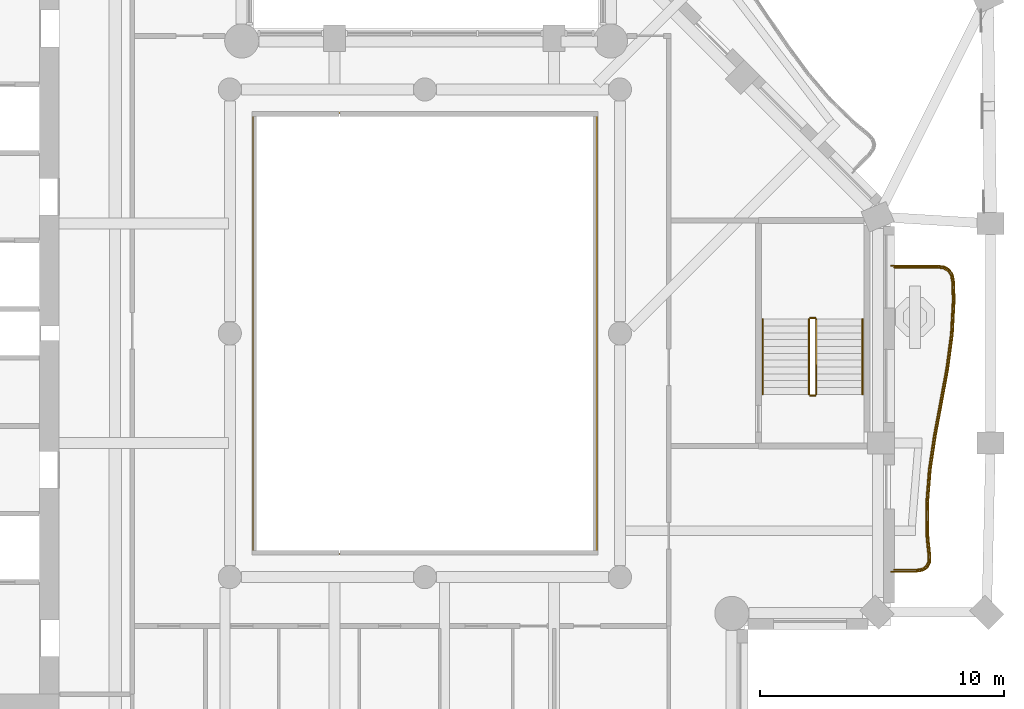
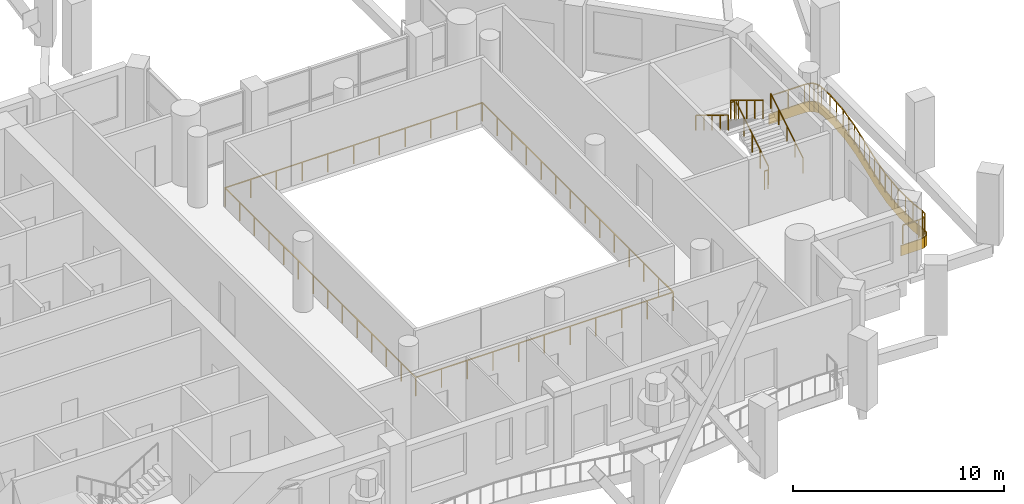
# One storey, part 13 of 16: 8 railings, 1 covering.
"""IFC4 building model written with IfcOpenShell, lengths in metres."""

from ifc_helpers import new_model, si_unit, direction, frame, origin, origin_2d, place, context, subcontext, project, spatial, polyline, rectangle, outline, extrude, material, layer, layer_set, type_object, element, save


model = new_model("IFC4")

# Units and contexts
model_context = context("Model", 3, precision=1e-05, world=origin(), true_north=direction((0.0, 1.0)))
body_context = subcontext(model_context, "Body", "Model", "MODEL_VIEW")
ifc_project = project(units=[si_unit("LENGTHUNIT", "METRE"), si_unit("AREAUNIT", "SQUARE_METRE"), si_unit("VOLUMEUNIT", "CUBIC_METRE"), si_unit("PLANEANGLEUNIT", "RADIAN"), si_unit("MASSUNIT", "GRAM", prefix="KILO")], contexts=[model_context])

# Site, building, storey
site_placement = place(None, origin())
site = spatial("IfcSite", under=ifc_project, at=site_placement, CompositionType="ELEMENT")
building_placement = place(site_placement, origin())
building = spatial("IfcBuilding", under=site, at=building_placement, Name="Cypress Arch Tower", CompositionType="ELEMENT")
storey_placement = place(building_placement, frame((0.0, 0.0, 181.0)))
storey = spatial("IfcBuildingStorey", under=building, at=storey_placement, Name="L39", CompositionType="ELEMENT", Elevation=181.0)

# Railing
ifc_material_1 = material(Name="Stainless steel posts and handrail, laminated glass infill", Category="steel")
railing_type_1 = type_object("IfcRailingType", Name="Atrium guard GR1100A", PredefinedType="GUARDRAIL", material=ifc_material_1)
railing_1_placement = place(storey_placement, frame((8.050048828125, -9.050048828125, 0.0)))
element("IfcRailing", 1, at=railing_1_placement, inside=storey, type_object=railing_type_1, Name="Atrium guard L39", PredefinedType="GUARDRAIL", context=body_context, shape_type="SweptSolid", body=[
    extrude(rectangle(XDim=0.050048828125, YDim=0.050048828125, at=origin_2d()), frame((0.0, 0.0, 1.0751953125), z_axis=(-1.0, 0.0, 0.0), x_axis=(0.0, -1.0, 0.0)), (0.0, 0.0, 1.0), 14.10009765625),
    extrude(rectangle(XDim=0.050048828125, YDim=0.050048828125, at=origin_2d()), frame((-14.10009765625, 0.0, 1.0751953125), z_axis=(0.0, 1.0, 0.0), x_axis=(-1.0, 0.0, 0.0)), (0.0, 0.0, 1.0), 18.10009765625),
    extrude(rectangle(XDim=0.050048828125, YDim=0.050048828125, at=origin_2d()), frame((-14.10009765625, 18.10009765625, 1.0751953125), z_axis=(1.0, 0.0, 0.0), x_axis=(0.0, 1.0, 0.0)), (0.0, 0.0, 1.0), 14.10009765625),
    extrude(rectangle(XDim=0.050048828125, YDim=0.050048828125, at=origin_2d()), frame((0.0, 18.10009765625, 1.0751953125), z_axis=(0.0, -1.0, 0.0), x_axis=(1.0, 0.0, 0.0)), (0.0, 0.0, 1.0), 18.10009765625),
    extrude(rectangle(XDim=0.050048828125, YDim=0.050048828125, at=origin_2d()), origin(), (0.0, 0.0, 1.0), 1.050048828125),
    extrude(rectangle(XDim=0.050048828125, YDim=0.050048828125, at=origin_2d()), frame((-1.409912109375, 0.0, 0.0)), (0.0, 0.0, 1.0), 1.050048828125),
    extrude(rectangle(XDim=0.050048828125, YDim=0.050048828125, at=origin_2d()), frame((-2.820068359375, 0.0, 0.0)), (0.0, 0.0, 1.0), 1.050048828125),
    extrude(rectangle(XDim=0.050048828125, YDim=0.050048828125, at=origin_2d()), frame((-4.22998046875, 0.0, 0.0)), (0.0, 0.0, 1.0), 1.050048828125),
    extrude(rectangle(XDim=0.050048828125, YDim=0.050048828125, at=origin_2d()), frame((-5.64013671875, 0.0, 0.0)), (0.0, 0.0, 1.0), 1.050048828125),
    extrude(rectangle(XDim=0.050048828125, YDim=0.050048828125, at=origin_2d()), frame((-7.050048828125, 0.0, 0.0)), (0.0, 0.0, 1.0), 1.050048828125),
    extrude(rectangle(XDim=0.050048828125, YDim=0.050048828125, at=origin_2d()), frame((-8.4599609375, 0.0, 0.0)), (0.0, 0.0, 1.0), 1.050048828125),
    extrude(rectangle(XDim=0.050048828125, YDim=0.050048828125, at=origin_2d()), frame((-9.8701171875, 0.0, 0.0)), (0.0, 0.0, 1.0), 1.050048828125),
    extrude(rectangle(XDim=0.050048828125, YDim=0.050048828125, at=origin_2d()), frame((-11.280029296875, 0.0, 0.0)), (0.0, 0.0, 1.0), 1.050048828125),
    extrude(rectangle(XDim=0.050048828125, YDim=0.050048828125, at=origin_2d()), frame((-12.690185546875, 0.0, 0.0)), (0.0, 0.0, 1.0), 1.050048828125),
    extrude(rectangle(XDim=0.050048828125, YDim=0.050048828125, at=origin_2d()), frame((-14.10009765625, 0.0, 0.0)), (0.0, 0.0, 1.0), 1.050048828125),
    extrude(rectangle(XDim=0.050048828125, YDim=0.050048828125, at=origin_2d()), frame((-14.10009765625, 1.392333984375, 0.0)), (0.0, 0.0, 1.0), 1.050048828125),
    extrude(rectangle(XDim=0.050048828125, YDim=0.050048828125, at=origin_2d()), frame((-14.10009765625, 2.78466796875, 0.0)), (0.0, 0.0, 1.0), 1.050048828125),
    extrude(rectangle(XDim=0.050048828125, YDim=0.050048828125, at=origin_2d()), frame((-14.10009765625, 4.177001953125, 0.0)), (0.0, 0.0, 1.0), 1.050048828125),
    extrude(rectangle(XDim=0.050048828125, YDim=0.050048828125, at=origin_2d()), frame((-14.10009765625, 5.5693359375, 0.0)), (0.0, 0.0, 1.0), 1.050048828125),
    extrude(rectangle(XDim=0.050048828125, YDim=0.050048828125, at=origin_2d()), frame((-14.10009765625, 6.961669921875, 0.0)), (0.0, 0.0, 1.0), 1.050048828125),
    extrude(rectangle(XDim=0.050048828125, YDim=0.050048828125, at=origin_2d()), frame((-14.10009765625, 8.35400390625, 0.0)), (0.0, 0.0, 1.0), 1.050048828125),
    extrude(rectangle(XDim=0.050048828125, YDim=0.050048828125, at=origin_2d()), frame((-14.10009765625, 9.74609375, 0.0)), (0.0, 0.0, 1.0), 1.050048828125),
    extrude(rectangle(XDim=0.050048828125, YDim=0.050048828125, at=origin_2d()), frame((-14.10009765625, 11.138427734375, 0.0)), (0.0, 0.0, 1.0), 1.050048828125),
    extrude(rectangle(XDim=0.050048828125, YDim=0.050048828125, at=origin_2d()), frame((-14.10009765625, 12.53076171875, 0.0)), (0.0, 0.0, 1.0), 1.050048828125),
    extrude(rectangle(XDim=0.050048828125, YDim=0.050048828125, at=origin_2d()), frame((-14.10009765625, 13.923095703125, 0.0)), (0.0, 0.0, 1.0), 1.050048828125),
    extrude(rectangle(XDim=0.050048828125, YDim=0.050048828125, at=origin_2d()), frame((-14.10009765625, 15.3154296875, 0.0)), (0.0, 0.0, 1.0), 1.050048828125),
    extrude(rectangle(XDim=0.050048828125, YDim=0.050048828125, at=origin_2d()), frame((-14.10009765625, 16.707763671875, 0.0)), (0.0, 0.0, 1.0), 1.050048828125),
    extrude(rectangle(XDim=0.050048828125, YDim=0.050048828125, at=origin_2d()), frame((-14.10009765625, 18.10009765625, 0.0)), (0.0, 0.0, 1.0), 1.050048828125),
    extrude(rectangle(XDim=0.050048828125, YDim=0.050048828125, at=origin_2d()), frame((-12.690185546875, 18.10009765625, 0.0)), (0.0, 0.0, 1.0), 1.050048828125),
    extrude(rectangle(XDim=0.050048828125, YDim=0.050048828125, at=origin_2d()), frame((-11.280029296875, 18.10009765625, 0.0)), (0.0, 0.0, 1.0), 1.050048828125),
    extrude(rectangle(XDim=0.050048828125, YDim=0.050048828125, at=origin_2d()), frame((-9.8701171875, 18.10009765625, 0.0)), (0.0, 0.0, 1.0), 1.050048828125),
    extrude(rectangle(XDim=0.050048828125, YDim=0.050048828125, at=origin_2d()), frame((-8.4599609375, 18.10009765625, 0.0)), (0.0, 0.0, 1.0), 1.050048828125),
    extrude(rectangle(XDim=0.050048828125, YDim=0.050048828125, at=origin_2d()), frame((-7.050048828125, 18.10009765625, 0.0)), (0.0, 0.0, 1.0), 1.050048828125),
    extrude(rectangle(XDim=0.050048828125, YDim=0.050048828125, at=origin_2d()), frame((-5.64013671875, 18.10009765625, 0.0)), (0.0, 0.0, 1.0), 1.050048828125),
    extrude(rectangle(XDim=0.050048828125, YDim=0.050048828125, at=origin_2d()), frame((-4.22998046875, 18.10009765625, 0.0)), (0.0, 0.0, 1.0), 1.050048828125),
    extrude(rectangle(XDim=0.050048828125, YDim=0.050048828125, at=origin_2d()), frame((-2.820068359375, 18.10009765625, 0.0)), (0.0, 0.0, 1.0), 1.050048828125),
    extrude(rectangle(XDim=0.050048828125, YDim=0.050048828125, at=origin_2d()), frame((-1.409912109375, 18.10009765625, 0.0)), (0.0, 0.0, 1.0), 1.050048828125),
    extrude(rectangle(XDim=0.050048828125, YDim=0.050048828125, at=origin_2d()), frame((0.0, 18.10009765625, 0.0)), (0.0, 0.0, 1.0), 1.050048828125),
    extrude(rectangle(XDim=0.050048828125, YDim=0.050048828125, at=origin_2d()), frame((0.0, 16.707763671875, 0.0)), (0.0, 0.0, 1.0), 1.050048828125),
    extrude(rectangle(XDim=0.050048828125, YDim=0.050048828125, at=origin_2d()), frame((0.0, 15.3154296875, 0.0)), (0.0, 0.0, 1.0), 1.050048828125),
    extrude(rectangle(XDim=0.050048828125, YDim=0.050048828125, at=origin_2d()), frame((0.0, 13.923095703125, 0.0)), (0.0, 0.0, 1.0), 1.050048828125),
    extrude(rectangle(XDim=0.050048828125, YDim=0.050048828125, at=origin_2d()), frame((0.0, 12.53076171875, 0.0)), (0.0, 0.0, 1.0), 1.050048828125),
    extrude(rectangle(XDim=0.050048828125, YDim=0.050048828125, at=origin_2d()), frame((0.0, 11.138427734375, 0.0)), (0.0, 0.0, 1.0), 1.050048828125),
    extrude(rectangle(XDim=0.050048828125, YDim=0.050048828125, at=origin_2d()), frame((0.0, 9.74609375, 0.0)), (0.0, 0.0, 1.0), 1.050048828125),
    extrude(rectangle(XDim=0.050048828125, YDim=0.050048828125, at=origin_2d()), frame((0.0, 8.35400390625, 0.0)), (0.0, 0.0, 1.0), 1.050048828125),
    extrude(rectangle(XDim=0.050048828125, YDim=0.050048828125, at=origin_2d()), frame((0.0, 6.961669921875, 0.0)), (0.0, 0.0, 1.0), 1.050048828125),
    extrude(rectangle(XDim=0.050048828125, YDim=0.050048828125, at=origin_2d()), frame((0.0, 5.5693359375, 0.0)), (0.0, 0.0, 1.0), 1.050048828125),
    extrude(rectangle(XDim=0.050048828125, YDim=0.050048828125, at=origin_2d()), frame((0.0, 4.177001953125, 0.0)), (0.0, 0.0, 1.0), 1.050048828125),
    extrude(rectangle(XDim=0.050048828125, YDim=0.050048828125, at=origin_2d()), frame((0.0, 2.78466796875, 0.0)), (0.0, 0.0, 1.0), 1.050048828125),
    extrude(rectangle(XDim=0.050048828125, YDim=0.050048828125, at=origin_2d()), frame((0.0, 1.392333984375, 0.0)), (0.0, 0.0, 1.0), 1.050048828125),
])

# Covering
ifc_material_2 = material(Name="White powder-coated aluminium fascia", Category="aluminium")
ifc_layer = layer(ifc_material_2, 0.050048828125)
ifc_layer_set = layer_set([ifc_layer], Name="Balcony fascia BF50")
covering_type = type_object("IfcCoveringType", Name="Balcony fascia BF50", PredefinedType="CLADDING", material=ifc_layer_set)
covering_placement = place(storey_placement, frame((0.0, 0.0, -0.60009765625)))
element("IfcCovering", 2, at=covering_placement, inside=storey, type_object=covering_type, Name="Balcony fascia L39-B04", PredefinedType="CLADDING", context=body_context, shape_type="SweptSolid", body=[
    extrude(outline(polyline([(22.02734375, 2.800048828125), (22.315673828125, 2.759033203125), (22.534423828125, 2.630859375), (22.670654296875, 2.4169921875), (22.72216796875, 2.13037109375), (22.750244140625, 1.360595703125), (22.67431640625, -0.032470703125), (22.48876953125, -1.42431640625), (22.237060546875, -2.814697265625), (21.976806640625, -4.202880859375), (21.768310546875, -5.589111328125), (21.659423828125, -6.973876953125), (21.674560546875, -8.3583984375), (21.75, -9.123779296875), (21.73681640625, -9.411376953125), (21.627197265625, -9.628662109375), (21.421875, -9.7587890625), (21.13671875, -9.800048828125), (20.10107421875, -9.800048828125), (20.10107421875, -9.75), (21.13330078125, -9.75), (21.404052734375, -9.7109375), (21.5888671875, -9.59375), (21.6875, -9.3984375), (21.69970703125, -9.125), (21.624755859375, -8.361083984375), (21.609375, -6.97216796875), (21.71875, -5.583251953125), (21.927490234375, -4.1943359375), (22.187744140625, -2.8056640625), (22.439453125, -1.416748046875), (22.62451171875, -0.02783203125), (22.7001953125, 1.361083984375), (22.67236328125, 2.125), (22.623046875, 2.3984375), (22.498779296875, 2.59375), (22.299072265625, 2.7109375), (22.02392578125, 2.75), (20.10107421875, 2.75), (20.10107421875, 2.800048828125), (22.02734375, 2.800048828125)])), origin(), (0.0, 0.0, 1.0), 0.60009765625),
])

# Railings
ifc_material_3 = material(Name="Powder-coated steel posts and rods, 100 mm clear between rods", Category="steel")
railing_type_2 = type_object("IfcRailingType", Name="Balcony guard GR1100", PredefinedType="GUARDRAIL", material=ifc_material_3)
railing_2_placement = place(storey_placement, frame((20.25, 2.699951171875, 0.0)))
element("IfcRailing", 3, at=railing_2_placement, inside=storey, type_object=railing_type_2, Name="Balcony guard L39-B04", PredefinedType="GUARDRAIL", context=body_context, shape_type="SweptSolid", body=[
    extrude(rectangle(XDim=0.050048828125, YDim=0.050048828125, at=origin_2d()), frame((0.0, 0.0, 1.0751953125), z_axis=(1.0, 0.0, 0.0), x_axis=(0.0, 1.0, 0.0)), (0.0, 0.0, 1.0), 1.770263671875),
    extrude(rectangle(XDim=0.050048828125, YDim=0.050048828125, at=origin_2d()), frame((1.770263671875, 0.0, 1.0751953125), z_axis=(0.990114906595, -0.140258588819, 0.0), x_axis=(0.140258588819, 0.990114906595, 0.0)), (0.0, 0.0, 1.0), 0.2646484375),
    extrude(rectangle(XDim=0.050048828125, YDim=0.050048828125, at=origin_2d()), frame((2.0322265625, -0.037109375, 1.0751953125), z_axis=(0.862083917705, -0.506765546219, 0.0), x_axis=(0.506765546219, 0.862083917705, 0.0)), (0.0, 0.0, 1.0), 0.20947265625),
    extrude(rectangle(XDim=0.050048828125, YDim=0.050048828125, at=origin_2d()), frame((2.212890625, -0.143310546875, 1.0751953125), z_axis=(0.537929836996, -0.842989614687, 0.0), x_axis=(0.842989614687, 0.537929836996, 0.0)), (0.0, 0.0, 1.0), 0.209716796875),
    extrude(rectangle(XDim=0.050048828125, YDim=0.050048828125, at=origin_2d()), frame((2.32568359375, -0.320068359375, 1.0751953125), z_axis=(0.176365867157, -0.984324682664, 0.0), x_axis=(0.984324682664, 0.176365867157, 0.0)), (0.0, 0.0, 1.0), 0.264404296875),
    extrude(rectangle(XDim=0.050048828125, YDim=0.050048828125, at=origin_2d()), frame((2.372314453125, -0.580322265625, 1.0751953125), z_axis=(0.036690255135, -0.999326685913, 0.0), x_axis=(0.999326685913, 0.036690255135, 0.0)), (0.0, 0.0, 1.0), 0.758544921875),
    extrude(rectangle(XDim=0.050048828125, YDim=0.050048828125, at=origin_2d()), frame((2.400146484375, -1.33837890625, 1.0751953125), z_axis=(-0.054397475776, -0.998519361169, 0.0), x_axis=(0.998519361169, -0.054397475776, 0.0)), (0.0, 0.0, 1.0), 1.38671875),
    extrude(rectangle(XDim=0.050048828125, YDim=0.050048828125, at=origin_2d()), frame((2.32470703125, -2.72314453125, 1.0751953125), z_axis=(-0.132026448655, -0.991246193867, 0.0), x_axis=(0.991246193867, -0.132026448655, 0.0)), (0.0, 0.0, 1.0), 1.39794921875),
    extrude(rectangle(XDim=0.050048828125, YDim=0.050048828125, at=origin_2d()), frame((2.14013671875, -4.10888671875, 1.0751953125), z_axis=(-0.178336894592, -0.983969487346, 0.0), x_axis=(0.983969487346, -0.178336894592, 0.0)), (0.0, 0.0, 1.0), 1.41015625),
    extrude(rectangle(XDim=0.050048828125, YDim=0.050048828125, at=origin_2d()), frame((1.888671875, -5.496337890625, 1.0751953125), z_axis=(-0.184246831653, -0.982880005405, 0.0), x_axis=(0.982880005405, -0.184246831653, 0.0)), (0.0, 0.0, 1.0), 1.413818359375),
    extrude(rectangle(XDim=0.050048828125, YDim=0.050048828125, at=origin_2d()), frame((1.628173828125, -6.885986328125, 1.0751953125), z_axis=(-0.14867978633, -0.988885393328, 0.0), x_axis=(0.988885393328, -0.14867978633, 0.0)), (0.0, 0.0, 1.0), 1.4072265625),
    extrude(rectangle(XDim=0.050048828125, YDim=0.050048828125, at=origin_2d()), frame((1.4189453125, -8.277587890625, 1.0751953125), z_axis=(-0.078460270174, -0.996917241301, 0.0), x_axis=(0.996917241301, -0.078460270174, 0.0)), (0.0, 0.0, 1.0), 1.397216796875),
    extrude(rectangle(XDim=0.050048828125, YDim=0.050048828125, at=origin_2d()), frame((1.309326171875, -9.67041015625, 1.0751953125), z_axis=(0.011038402265, -0.999939074982, 0.0), x_axis=(0.999939074982, 0.011038402265, 0.0)), (0.0, 0.0, 1.0), 1.393310546875),
    extrude(rectangle(XDim=0.050048828125, YDim=0.050048828125, at=origin_2d()), frame((1.32470703125, -11.063720703125, 1.0751953125), z_axis=(0.097831355512, -0.99520300737, 0.0), x_axis=(0.99520300737, 0.097831355512, 0.0)), (0.0, 0.0, 1.0), 0.76611328125),
    extrude(rectangle(XDim=0.050048828125, YDim=0.050048828125, at=origin_2d()), frame((1.399658203125, -11.826171875, 1.0751953125), z_axis=(-0.045151644946, -0.998980144427, 0.0), x_axis=(0.998980144427, -0.045151644946, 0.0)), (0.0, 0.0, 1.0), 0.259521484375),
    extrude(rectangle(XDim=0.050048828125, YDim=0.050048828125, at=origin_2d()), frame((1.387939453125, -12.08544921875, 1.0751953125), z_axis=(-0.450229346432, -0.892912949627, 0.0), x_axis=(0.892912949627, -0.450229346432, 0.0)), (0.0, 0.0, 1.0), 0.194091796875),
    extrude(rectangle(XDim=0.050048828125, YDim=0.050048828125, at=origin_2d()), frame((1.300537109375, -12.2587890625, 1.0751953125), z_axis=(-0.844023315733, -0.536306481872, 0.0), x_axis=(0.536306481872, -0.844023315733, 0.0)), (0.0, 0.0, 1.0), 0.1943359375),
    extrude(rectangle(XDim=0.050048828125, YDim=0.050048828125, at=origin_2d()), frame((1.136474609375, -12.363037109375, 1.0751953125), z_axis=(-0.989855181852, -0.142079973821, 0.0), x_axis=(0.142079973821, -0.989855181852, 0.0)), (0.0, 0.0, 1.0), 0.259521484375),
    extrude(rectangle(XDim=0.050048828125, YDim=0.050048828125, at=origin_2d()), frame((0.879638671875, -12.39990234375, 1.0751953125), z_axis=(-1.0, 0.0, 0.0), x_axis=(0.0, -1.0, 0.0)), (0.0, 0.0, 1.0), 0.879638671875),
    extrude(rectangle(XDim=0.0400390625, YDim=0.0400390625, at=origin_2d()), origin(), (0.0, 0.0, 1.0), 1.050048828125),
    extrude(rectangle(XDim=0.0400390625, YDim=0.0400390625, at=origin_2d()), frame((0.88525390625, 0.0, 0.0)), (0.0, 0.0, 1.0), 1.050048828125),
    extrude(rectangle(XDim=0.0400390625, YDim=0.0400390625, at=origin_2d()), frame((1.770263671875, 0.0, 0.0)), (0.0, 0.0, 1.0), 1.050048828125),
    extrude(rectangle(XDim=0.0400390625, YDim=0.0400390625, at=origin_2d()), frame((2.0322265625, -0.037109375, 0.0)), (0.0, 0.0, 1.0), 1.050048828125),
    extrude(rectangle(XDim=0.0400390625, YDim=0.0400390625, at=origin_2d()), frame((2.212890625, -0.143310546875, 0.0)), (0.0, 0.0, 1.0), 1.050048828125),
    extrude(rectangle(XDim=0.0400390625, YDim=0.0400390625, at=origin_2d()), frame((2.32568359375, -0.320068359375, 0.0)), (0.0, 0.0, 1.0), 1.050048828125),
    extrude(rectangle(XDim=0.0400390625, YDim=0.0400390625, at=origin_2d()), frame((2.372314453125, -0.580322265625, 0.0)), (0.0, 0.0, 1.0), 1.050048828125),
    extrude(rectangle(XDim=0.0400390625, YDim=0.0400390625, at=origin_2d()), frame((2.400146484375, -1.33837890625, 0.0)), (0.0, 0.0, 1.0), 1.050048828125),
    extrude(rectangle(XDim=0.0400390625, YDim=0.0400390625, at=origin_2d()), frame((2.3623046875, -2.03076171875, 0.0)), (0.0, 0.0, 1.0), 1.050048828125),
    extrude(rectangle(XDim=0.0400390625, YDim=0.0400390625, at=origin_2d()), frame((2.32470703125, -2.72314453125, 0.0)), (0.0, 0.0, 1.0), 1.050048828125),
    extrude(rectangle(XDim=0.0400390625, YDim=0.0400390625, at=origin_2d()), frame((2.232421875, -3.416015625, 0.0)), (0.0, 0.0, 1.0), 1.050048828125),
    extrude(rectangle(XDim=0.0400390625, YDim=0.0400390625, at=origin_2d()), frame((2.14013671875, -4.10888671875, 0.0)), (0.0, 0.0, 1.0), 1.050048828125),
    extrude(rectangle(XDim=0.0400390625, YDim=0.0400390625, at=origin_2d()), frame((2.014404296875, -4.802734375, 0.0)), (0.0, 0.0, 1.0), 1.050048828125),
    extrude(rectangle(XDim=0.0400390625, YDim=0.0400390625, at=origin_2d()), frame((1.888671875, -5.496337890625, 0.0)), (0.0, 0.0, 1.0), 1.050048828125),
    extrude(rectangle(XDim=0.0400390625, YDim=0.0400390625, at=origin_2d()), frame((1.75830078125, -6.191162109375, 0.0)), (0.0, 0.0, 1.0), 1.050048828125),
    extrude(rectangle(XDim=0.0400390625, YDim=0.0400390625, at=origin_2d()), frame((1.628173828125, -6.885986328125, 0.0)), (0.0, 0.0, 1.0), 1.050048828125),
    extrude(rectangle(XDim=0.0400390625, YDim=0.0400390625, at=origin_2d()), frame((1.5234375, -7.581787109375, 0.0)), (0.0, 0.0, 1.0), 1.050048828125),
    extrude(rectangle(XDim=0.0400390625, YDim=0.0400390625, at=origin_2d()), frame((1.4189453125, -8.277587890625, 0.0)), (0.0, 0.0, 1.0), 1.050048828125),
    extrude(rectangle(XDim=0.0400390625, YDim=0.0400390625, at=origin_2d()), frame((1.3642578125, -8.97412109375, 0.0)), (0.0, 0.0, 1.0), 1.050048828125),
    extrude(rectangle(XDim=0.0400390625, YDim=0.0400390625, at=origin_2d()), frame((1.309326171875, -9.67041015625, 0.0)), (0.0, 0.0, 1.0), 1.050048828125),
    extrude(rectangle(XDim=0.0400390625, YDim=0.0400390625, at=origin_2d()), frame((1.31689453125, -10.3671875, 0.0)), (0.0, 0.0, 1.0), 1.050048828125),
    extrude(rectangle(XDim=0.0400390625, YDim=0.0400390625, at=origin_2d()), frame((1.32470703125, -11.063720703125, 0.0)), (0.0, 0.0, 1.0), 1.050048828125),
    extrude(rectangle(XDim=0.0400390625, YDim=0.0400390625, at=origin_2d()), frame((1.399658203125, -11.826171875, 0.0)), (0.0, 0.0, 1.0), 1.050048828125),
    extrude(rectangle(XDim=0.0400390625, YDim=0.0400390625, at=origin_2d()), frame((1.387939453125, -12.08544921875, 0.0)), (0.0, 0.0, 1.0), 1.050048828125),
    extrude(rectangle(XDim=0.0400390625, YDim=0.0400390625, at=origin_2d()), frame((1.300537109375, -12.2587890625, 0.0)), (0.0, 0.0, 1.0), 1.050048828125),
    extrude(rectangle(XDim=0.0400390625, YDim=0.0400390625, at=origin_2d()), frame((1.136474609375, -12.363037109375, 0.0)), (0.0, 0.0, 1.0), 1.050048828125),
    extrude(rectangle(XDim=0.0400390625, YDim=0.0400390625, at=origin_2d()), frame((0.879638671875, -12.39990234375, 0.0)), (0.0, 0.0, 1.0), 1.050048828125),
    extrude(rectangle(XDim=0.0400390625, YDim=0.0400390625, at=origin_2d()), frame((0.0, -12.39990234375, 0.0)), (0.0, 0.0, 1.0), 1.050048828125),
])
ifc_material_4 = material(Name="Black powder-coated steel square bar 48 mm", Category="steel")
railing_type_3 = type_object("IfcRailingType", Name="Stair handrail HR1", PredefinedType="HANDRAIL", material=ifc_material_4)
railing_3_placement = place(storey_placement, frame((18.949951171875, -2.5, 0.1708984375)))
element("IfcRailing", 4, at=railing_3_placement, inside=storey, type_object=railing_type_3, Name="L39 C stair handrail 1", PredefinedType="HANDRAIL", context=body_context, shape_type="SweptSolid", body=[
    extrude(rectangle(XDim=0.048095703125, YDim=0.048095703125, at=origin_2d()), frame((0.0, 0.0, 0.8759765625), z_axis=(0.0, 0.853666305674, 0.52082035152), x_axis=(-1.0, 0.0, 0.0)), (0.0, 0.0, 1.0), 3.608154296875),
    extrude(rectangle(XDim=0.0419921875, YDim=0.0419921875, at=origin_2d()), origin(), (0.0, 0.0, 1.0), 0.851806640625),
    extrude(rectangle(XDim=0.0419921875, YDim=0.0419921875, at=origin_2d()), frame((0.0, 0.77001953125, 0.4697265625)), (0.0, 0.0, 1.0), 0.851806640625),
    extrude(rectangle(XDim=0.0419921875, YDim=0.0419921875, at=origin_2d()), frame((0.0, 1.5400390625, 0.939453125)), (0.0, 0.0, 1.0), 0.851806640625),
    extrude(rectangle(XDim=0.0419921875, YDim=0.0419921875, at=origin_2d()), frame((0.0, 2.31005859375, 1.409423828125)), (0.0, 0.0, 1.0), 0.851806640625),
    extrude(rectangle(XDim=0.0419921875, YDim=0.0419921875, at=origin_2d()), frame((0.0, 3.080078125, 1.879150390625)), (0.0, 0.0, 1.0), 0.851806640625),
])
railing_4_placement = place(storey_placement, frame((14.85009765625, 0.580078125, 2.220947265625)))
element("IfcRailing", 5, at=railing_4_placement, inside=storey, type_object=railing_type_3, Name="L39 C stair handrail 2", PredefinedType="HANDRAIL", context=body_context, shape_type="SweptSolid", body=[
    extrude(rectangle(XDim=0.048095703125, YDim=0.048095703125, at=origin_2d()), frame((0.0, 0.0, 0.8759765625), z_axis=(0.0, -0.853666305674, 0.52082035152), x_axis=(1.0, 0.0, 0.0)), (0.0, 0.0, 1.0), 3.608154296875),
    extrude(rectangle(XDim=0.0419921875, YDim=0.0419921875, at=origin_2d()), origin(), (0.0, 0.0, 1.0), 0.851806640625),
    extrude(rectangle(XDim=0.0419921875, YDim=0.0419921875, at=origin_2d()), frame((0.0, -0.77001953125, 0.4697265625)), (0.0, 0.0, 1.0), 0.851806640625),
    extrude(rectangle(XDim=0.0419921875, YDim=0.0419921875, at=origin_2d()), frame((0.0, -1.5400390625, 0.939453125)), (0.0, 0.0, 1.0), 0.851806640625),
    extrude(rectangle(XDim=0.0419921875, YDim=0.0419921875, at=origin_2d()), frame((0.0, -2.31005859375, 1.409423828125)), (0.0, 0.0, 1.0), 0.851806640625),
    extrude(rectangle(XDim=0.0419921875, YDim=0.0419921875, at=origin_2d()), frame((0.0, -3.080078125, 1.879150390625)), (0.0, 0.0, 1.0), 0.851806640625),
])
ifc_material_5 = material(Name="Black powder-coated steel balusters", Category="steel")
railing_type_4 = type_object("IfcRailingType", Name="Stair well guard G1", PredefinedType="GUARDRAIL", material=ifc_material_5)
railing_5_placement = place(storey_placement, frame((17.050048828125, -2.5, 0.1708984375)))
element("IfcRailing", 6, at=railing_5_placement, inside=storey, type_object=railing_type_4, Name="L39 C stair guard 1", PredefinedType="GUARDRAIL", context=body_context, shape_type="SweptSolid", body=[
    extrude(rectangle(XDim=0.048095703125, YDim=0.048095703125, at=origin_2d()), frame((0.0, 0.0, 1.076171875), z_axis=(0.0, 0.853666305674, 0.52082035152), x_axis=(-1.0, 0.0, 0.0)), (0.0, 0.0, 1.0), 3.608154296875),
    extrude(rectangle(XDim=0.0419921875, YDim=0.0419921875, at=origin_2d()), origin(), (0.0, 0.0, 1.0), 1.052001953125),
    extrude(rectangle(XDim=0.0419921875, YDim=0.0419921875, at=origin_2d()), frame((0.0, 0.77001953125, 0.4697265625)), (0.0, 0.0, 1.0), 1.052001953125),
    extrude(rectangle(XDim=0.0419921875, YDim=0.0419921875, at=origin_2d()), frame((0.0, 1.5400390625, 0.939453125)), (0.0, 0.0, 1.0), 1.052001953125),
    extrude(rectangle(XDim=0.0419921875, YDim=0.0419921875, at=origin_2d()), frame((0.0, 2.31005859375, 1.409423828125)), (0.0, 0.0, 1.0), 1.052001953125),
    extrude(rectangle(XDim=0.0419921875, YDim=0.0419921875, at=origin_2d()), frame((0.0, 3.080078125, 1.879150390625)), (0.0, 0.0, 1.0), 1.052001953125),
])
railing_6_placement = place(storey_placement, frame((17.0, 0.6298828125, 2.050048828125)))
element("IfcRailing", 7, at=railing_6_placement, inside=storey, type_object=railing_type_4, Name="L39 C stair guard 2", PredefinedType="GUARDRAIL", context=body_context, shape_type="SweptSolid", body=[
    extrude(rectangle(XDim=0.048095703125, YDim=0.048095703125, at=origin_2d()), frame((0.0, 0.0, 1.076171875), z_axis=(-1.0, 0.0, 0.0), x_axis=(0.0, -1.0, 0.0)), (0.0, 0.0, 1.0), 0.199951171875),
    extrude(rectangle(XDim=0.0419921875, YDim=0.0419921875, at=origin_2d()), origin(), (0.0, 0.0, 1.0), 1.052001953125),
    extrude(rectangle(XDim=0.0419921875, YDim=0.0419921875, at=origin_2d()), frame((-0.199951171875, 0.0, 0.0)), (0.0, 0.0, 1.0), 1.052001953125),
])
railing_7_placement = place(storey_placement, frame((16.75, 0.580078125, 2.220947265625)))
element("IfcRailing", 8, at=railing_7_placement, inside=storey, type_object=railing_type_4, Name="L39 C stair guard 3", PredefinedType="GUARDRAIL", context=body_context, shape_type="SweptSolid", body=[
    extrude(rectangle(XDim=0.048095703125, YDim=0.048095703125, at=origin_2d()), frame((0.0, 0.0, 1.076171875), z_axis=(0.0, -0.853666305674, 0.52082035152), x_axis=(1.0, 0.0, 0.0)), (0.0, 0.0, 1.0), 3.608154296875),
    extrude(rectangle(XDim=0.0419921875, YDim=0.0419921875, at=origin_2d()), origin(), (0.0, 0.0, 1.0), 1.052001953125),
    extrude(rectangle(XDim=0.0419921875, YDim=0.0419921875, at=origin_2d()), frame((0.0, -0.77001953125, 0.4697265625)), (0.0, 0.0, 1.0), 1.052001953125),
    extrude(rectangle(XDim=0.0419921875, YDim=0.0419921875, at=origin_2d()), frame((0.0, -1.5400390625, 0.939453125)), (0.0, 0.0, 1.0), 1.052001953125),
    extrude(rectangle(XDim=0.0419921875, YDim=0.0419921875, at=origin_2d()), frame((0.0, -2.31005859375, 1.409423828125)), (0.0, 0.0, 1.0), 1.052001953125),
    extrude(rectangle(XDim=0.0419921875, YDim=0.0419921875, at=origin_2d()), frame((0.0, -3.080078125, 1.879150390625)), (0.0, 0.0, 1.0), 1.052001953125),
])
railing_8_placement = place(storey_placement, frame((17.0, -2.550048828125, 0.0)))
element("IfcRailing", 9, at=railing_8_placement, inside=storey, type_object=railing_type_4, Name="L39 C stair guard 4", PredefinedType="GUARDRAIL", context=body_context, shape_type="SweptSolid", body=[
    extrude(rectangle(XDim=0.048095703125, YDim=0.048095703125, at=origin_2d()), frame((0.0, 0.0, 1.076171875), z_axis=(-1.0, 0.0, 0.0), x_axis=(0.0, -1.0, 0.0)), (0.0, 0.0, 1.0), 0.199951171875),
    extrude(rectangle(XDim=0.0419921875, YDim=0.0419921875, at=origin_2d()), origin(), (0.0, 0.0, 1.0), 1.052001953125),
    extrude(rectangle(XDim=0.0419921875, YDim=0.0419921875, at=origin_2d()), frame((-0.199951171875, 0.0, 0.0)), (0.0, 0.0, 1.0), 1.052001953125),
])

save(model, "model.ifc")
